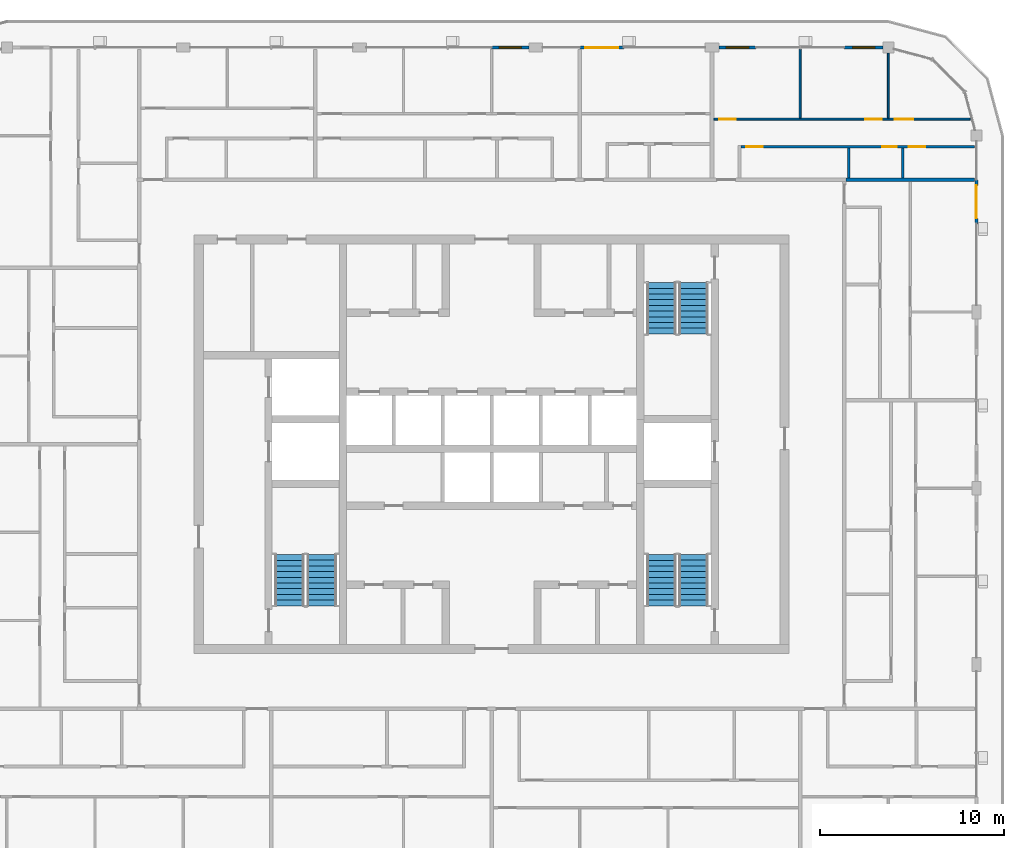
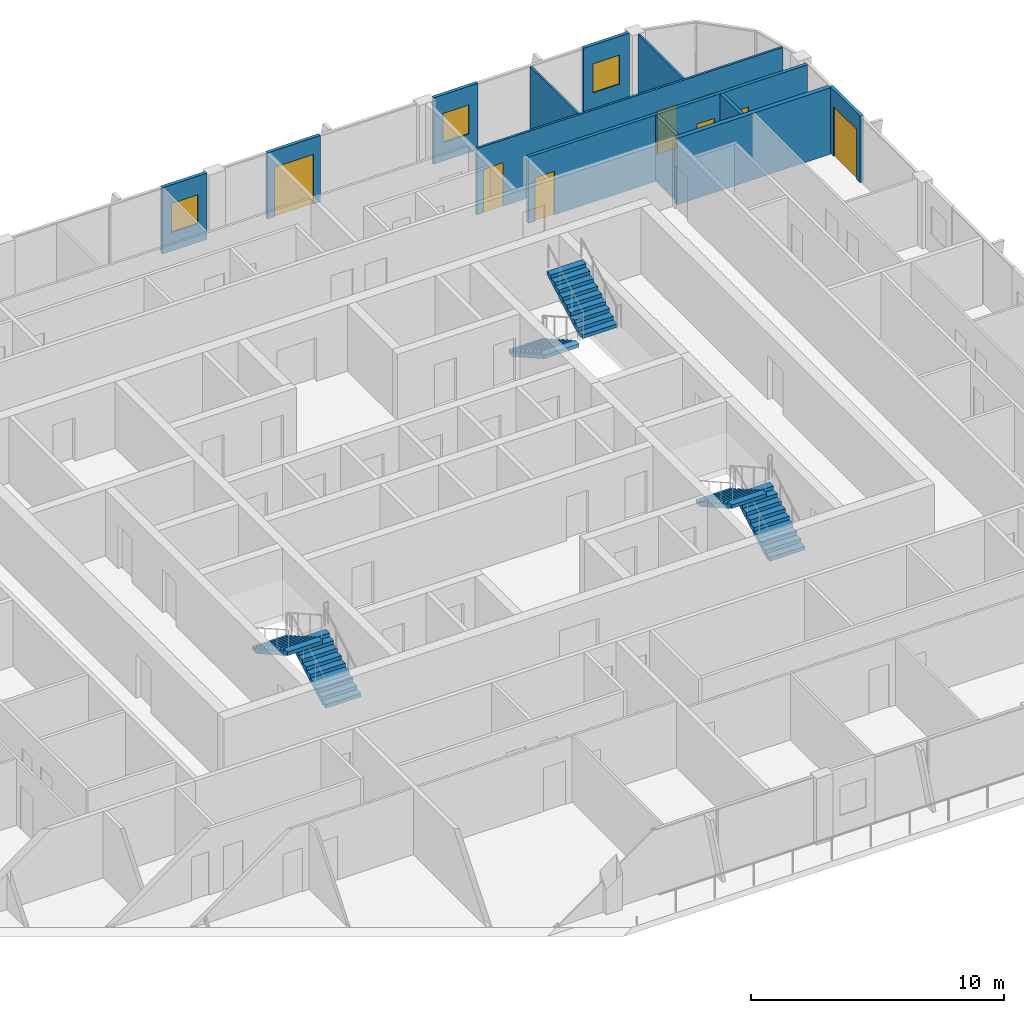
# One storey, part 15 of 21: 12 walls, 8 doors, 6 stair flights, 3 windows, 11 openings, 3 elements without a shape of their own.
"""IFC4 building model written with IfcOpenShell, lengths in metres."""

from ifc_helpers import new_model, si_unit, direction, frame, frame_2d, origin, place, context, subcontext, project, spatial, polyline, rectangle, outline, extrude, material, layer, layer_set, type_object, element, fill, aggregate, save


model = new_model("IFC4")

# Units and contexts
model_context = context("Model", 3, precision=1e-05, world=origin(), true_north=direction((0.0, 1.0)))
body_context = subcontext(model_context, "Body", "Model", "MODEL_VIEW")
ifc_project = project(units=[si_unit("LENGTHUNIT", "METRE"), si_unit("AREAUNIT", "SQUARE_METRE"), si_unit("VOLUMEUNIT", "CUBIC_METRE"), si_unit("PLANEANGLEUNIT", "RADIAN"), si_unit("MASSUNIT", "GRAM", prefix="KILO")], contexts=[model_context])

# Site, building, storey
site_placement = place(None, origin())
site = spatial("IfcSite", under=ifc_project, at=site_placement, CompositionType="ELEMENT")
building_placement = place(site_placement, origin())
building = spatial("IfcBuilding", under=site, at=building_placement, Name="Madar Terraces", CompositionType="ELEMENT")
storey_placement = place(building_placement, frame((0.0, 0.0, 272.10009765625)))
storey = spatial("IfcBuildingStorey", under=building, at=storey_placement, Name="L71", CompositionType="ELEMENT", Elevation=272.10009765625)

# Wall, opening, door
ifc_material_1 = material(Name="Aluminium composite panel, black, over insulated backing", Category="aluminium")
ifc_layer_1 = layer(ifc_material_1, 0.14990234375)
ifc_layer_set_1 = layer_set([ifc_layer_1], Name="Facade bay panel 150")
wall_type_1 = type_object("IfcWallType", Name="Facade bay panel 150", PredefinedType="SOLIDWALL", material=ifc_layer_set_1)
wall_1_placement = place(storey_placement, frame((57.60009765625, 38.39990234375, 0.0), z_axis=(0.0, 0.0, 1.0), x_axis=(0.0, 1.0, 0.0)))
wall_1 = element("IfcWall", 1, at=wall_1_placement, inside=storey, type_object=wall_type_1, Name="Facade bay panel", PredefinedType="SOLIDWALL", context=body_context, shape_type="SweptSolid", body=[
    extrude(rectangle(XDim=2.400146484375, YDim=0.14990234375, at=frame_2d((1.2001953125, 0.0))), origin(), (0.0, 0.0, 1.0), 3.199951171875),
])
opening_1_placement = place(wall_1_placement, frame((0.300048828125, 0.0, 0.0)))
opening_1 = element("IfcOpeningElement", 2, at=opening_1_placement, cuts=wall_1, Name="Opening ED1", PredefinedType="OPENING", context=body_context, shape_type="SweptSolid", body=[
    extrude(rectangle(XDim=1.800048828125, YDim=2.39990234375, at=frame_2d((0.89990234375, 1.199951171875))), frame((0.0, 0.0849609375, 0.0), z_axis=(0.0, -1.0, 0.0), x_axis=(1.0, 0.0, 0.0)), (0.0, 0.0, 1.0), 0.169921875),
])
ifc_material_2 = material(Name="Glass, clear, with black aluminium frame", Category="aluminium")
door_type_1 = type_object("IfcDoorType", Name="Balcony and terrace sliding door 1800 x 2400", OperationType="SLIDING_TO_LEFT", PredefinedType="DOOR", material=ifc_material_2)
door_1_placement = place(opening_1_placement, origin())
door_1 = element("IfcDoor", 3, at=door_1_placement, inside=storey, type_object=door_type_1, Name="Balcony door", OperationType="SLIDING_TO_LEFT", OverallHeight=2.39990234375, OverallWidth=1.800048828125, PredefinedType="DOOR", context=body_context, shape_type="SweptSolid", body=[
    extrude(rectangle(XDim=1.800048828125, YDim=2.39990234375, at=frame_2d((0.89990234375, 1.199951171875))), frame((0.0, 0.02490234375, 0.0), z_axis=(0.0, -1.0, 0.0), x_axis=(1.0, 0.0, 0.0)), (0.0, 0.0, 1.0), 0.050048828125),
])
fill(opening_1, door_1)

# Wall, opening, window
wall_2_placement = place(storey_placement, frame((52.5, 48.0, 0.0), z_axis=(0.0, 0.0, 1.0), x_axis=(-1.0, 0.0, 0.0)))
wall_2 = element("IfcWall", 4, at=wall_2_placement, inside=storey, type_object=wall_type_1, Name="Facade bay panel", PredefinedType="SOLIDWALL", context=body_context, shape_type="SweptSolid", body=[
    extrude(rectangle(XDim=2.10009765625, YDim=0.14990234375, at=frame_2d((1.050048828125, 0.0))), origin(), (0.0, 0.0, 1.0), 3.199951171875),
])
opening_2_placement = place(wall_2_placement, frame((0.449951171875, 0.0, 0.89990234375)))
opening_2 = element("IfcOpeningElement", 5, at=opening_2_placement, cuts=wall_2, Name="Opening W1", PredefinedType="OPENING", context=body_context, shape_type="SweptSolid", body=[
    extrude(rectangle(XDim=1.199951171875, YDim=1.39990234375, at=frame_2d((0.60009765625, 0.699951171875))), frame((0.0, 0.0849609375, 0.0), z_axis=(0.0, -1.0, 0.0), x_axis=(1.0, 0.0, 0.0)), (0.0, 0.0, 1.0), 0.169921875),
])
ifc_material_3 = material(Name="Glass, clear, with black aluminium frame", Category="aluminium")
window_type = type_object("IfcWindowType", Name="Vent window 1200 x 1400", PartitioningType="SINGLE_PANEL", PredefinedType="WINDOW", material=ifc_material_3)
window_1_placement = place(opening_2_placement, origin())
window_1 = element("IfcWindow", 6, at=window_1_placement, inside=storey, type_object=window_type, Name="Operable vent window", OverallHeight=1.39990234375, OverallWidth=1.199951171875, PartitioningType="SINGLE_PANEL", PredefinedType="WINDOW", context=body_context, shape_type="SweptSolid", body=[
    extrude(rectangle(XDim=1.199951171875, YDim=1.39990234375, at=frame_2d((0.60009765625, 0.699951171875))), frame((0.0, 0.030029296875, 0.0), z_axis=(0.0, -1.0, 0.0), x_axis=(1.0, 0.0, 0.0)), (0.0, 0.0, 1.0), 0.06005859375),
])
fill(opening_2, window_1)

wall_3_placement = place(storey_placement, frame((45.60009765625, 48.0, 0.0), z_axis=(0.0, 0.0, 1.0), x_axis=(-1.0, 0.0, 0.0)))
wall_3 = element("IfcWall", 7, at=wall_3_placement, inside=storey, type_object=wall_type_1, Name="Facade bay panel", PredefinedType="SOLIDWALL", context=body_context, shape_type="SweptSolid", body=[
    extrude(rectangle(XDim=2.025146484375, YDim=0.14990234375, at=frame_2d((1.0126953125, 0.0))), origin(), (0.0, 0.0, 1.0), 3.199951171875),
])
opening_3_placement = place(wall_3_placement, frame((0.41259765625, 0.0, 0.89990234375)))
opening_3 = element("IfcOpeningElement", 8, at=opening_3_placement, cuts=wall_3, Name="Opening W1", PredefinedType="OPENING", context=body_context, shape_type="SweptSolid", body=[
    extrude(rectangle(XDim=1.199951171875, YDim=1.39990234375, at=frame_2d((0.60009765625, 0.699951171875))), frame((0.0, 0.0849609375, 0.0), z_axis=(0.0, -1.0, 0.0), x_axis=(1.0, 0.0, 0.0)), (0.0, 0.0, 1.0), 0.169921875),
])
window_2_placement = place(opening_3_placement, origin())
window_2 = element("IfcWindow", 9, at=window_2_placement, inside=storey, type_object=window_type, Name="Operable vent window", OverallHeight=1.39990234375, OverallWidth=1.199951171875, PartitioningType="SINGLE_PANEL", PredefinedType="WINDOW", context=body_context, shape_type="SweptSolid", body=[
    extrude(rectangle(XDim=1.199951171875, YDim=1.39990234375, at=frame_2d((0.60009765625, 0.699951171875))), frame((0.0, 0.030029296875, 0.0), z_axis=(0.0, -1.0, 0.0), x_axis=(1.0, 0.0, 0.0)), (0.0, 0.0, 1.0), 0.06005859375),
])
fill(opening_3, window_2)

# Wall, opening, door
wall_4_placement = place(storey_placement, frame((38.39990234375, 48.0, 0.0), z_axis=(0.0, 0.0, 1.0), x_axis=(-1.0, 0.0, 0.0)))
wall_4 = element("IfcWall", 10, at=wall_4_placement, inside=storey, type_object=wall_type_1, Name="Facade bay panel", PredefinedType="SOLIDWALL", context=body_context, shape_type="SweptSolid", body=[
    extrude(rectangle(XDim=2.39990234375, YDim=0.14990234375, at=frame_2d((1.199951171875, 0.0))), origin(), (0.0, 0.0, 1.0), 3.199951171875),
])
opening_4_placement = place(wall_4_placement, frame((0.300048828125, 0.0, 0.0)))
opening_4 = element("IfcOpeningElement", 11, at=opening_4_placement, cuts=wall_4, Name="Opening ED1", PredefinedType="OPENING", context=body_context, shape_type="SweptSolid", body=[
    extrude(rectangle(XDim=1.800048828125, YDim=2.39990234375, at=frame_2d((0.89990234375, 1.199951171875))), frame((0.0, 0.0849609375, 0.0), z_axis=(0.0, -1.0, 0.0), x_axis=(1.0, 0.0, 0.0)), (0.0, 0.0, 1.0), 0.169921875),
])
door_2_placement = place(opening_4_placement, origin())
door_2 = element("IfcDoor", 12, at=door_2_placement, inside=storey, type_object=door_type_1, Name="Balcony door", OperationType="SLIDING_TO_RIGHT", OverallHeight=2.39990234375, OverallWidth=1.800048828125, PredefinedType="DOOR", context=body_context, shape_type="SweptSolid", body=[
    extrude(rectangle(XDim=1.800048828125, YDim=2.39990234375, at=frame_2d((0.89990234375, 1.199951171875))), frame((0.0, 0.02490234375, 0.0), z_axis=(0.0, -1.0, 0.0), x_axis=(1.0, 0.0, 0.0)), (0.0, 0.0, 1.0), 0.050048828125),
])
fill(opening_4, door_2)

# Wall, opening, window
wall_5_placement = place(storey_placement, frame((33.22509765625, 48.0, 0.0), z_axis=(0.0, 0.0, 1.0), x_axis=(-1.0, 0.0, 0.0)))
wall_5 = element("IfcWall", 13, at=wall_5_placement, inside=storey, type_object=wall_type_1, Name="Facade bay panel", PredefinedType="SOLIDWALL", context=body_context, shape_type="SweptSolid", body=[
    extrude(rectangle(XDim=2.025146484375, YDim=0.14990234375, at=frame_2d((1.0126953125, 0.0))), origin(), (0.0, 0.0, 1.0), 3.199951171875),
])
opening_5_placement = place(wall_5_placement, frame((0.41259765625, 0.0, 0.89990234375)))
opening_5 = element("IfcOpeningElement", 14, at=opening_5_placement, cuts=wall_5, Name="Opening W1", PredefinedType="OPENING", context=body_context, shape_type="SweptSolid", body=[
    extrude(rectangle(XDim=1.199951171875, YDim=1.39990234375, at=frame_2d((0.60009765625, 0.699951171875))), frame((0.0, 0.0849609375, 0.0), z_axis=(0.0, -1.0, 0.0), x_axis=(1.0, 0.0, 0.0)), (0.0, 0.0, 1.0), 0.169921875),
])
window_3_placement = place(opening_5_placement, origin())
window_3 = element("IfcWindow", 15, at=window_3_placement, inside=storey, type_object=window_type, Name="Operable vent window", OverallHeight=1.39990234375, OverallWidth=1.199951171875, PartitioningType="SINGLE_PANEL", PredefinedType="WINDOW", context=body_context, shape_type="SweptSolid", body=[
    extrude(rectangle(XDim=1.199951171875, YDim=1.39990234375, at=frame_2d((0.60009765625, 0.699951171875))), frame((0.0, 0.030029296875, 0.0), z_axis=(0.0, -1.0, 0.0), x_axis=(1.0, 0.0, 0.0)), (0.0, 0.0, 1.0), 0.06005859375),
])
fill(opening_5, window_3)

# Walls
ifc_material_4 = material(Name="Gypsum board on steel studs", Category="steel")
ifc_layer_2 = layer(ifc_material_4, 0.10009765625)
ifc_layer_set_2 = layer_set([ifc_layer_2], Name="Flat partition 100")
wall_type_2 = type_object("IfcWallType", Name="Flat partition 100", PredefinedType="PARTITIONING", material=ifc_layer_set_2)
wall_6_placement = place(storey_placement, frame((48.0, 44.14990234375, 0.0), z_axis=(0.0, 0.0, 1.0), x_axis=(0.0, 1.0, 0.0)))
element("IfcWall", 16, at=wall_6_placement, inside=storey, type_object=wall_type_2, Name="Flat partition 100", PredefinedType="PARTITIONING", context=body_context, shape_type="SweptSolid", body=[
    extrude(rectangle(XDim=3.75, YDim=0.10009765625, at=frame_2d((1.875, 0.0))), origin(), (0.0, 0.0, 1.0), 3.199951171875),
])
wall_7_placement = place(storey_placement, frame((52.800048828125, 44.14990234375, 0.0), z_axis=(0.0, 0.0, 1.0), x_axis=(0.0, 1.0, 0.0)))
element("IfcWall", 17, at=wall_7_placement, inside=storey, type_object=wall_type_2, Name="Flat partition 100", PredefinedType="PARTITIONING", context=body_context, shape_type="SweptSolid", body=[
    extrude(rectangle(XDim=3.550048828125, YDim=0.10009765625, at=frame_2d((1.77490234375, 0.0))), origin(), (0.0, 0.0, 1.0), 3.199951171875),
])

# Wall, openings, doors
wall_8_placement = place(storey_placement, frame((43.300048828125, 44.10009765625, 0.0), z_axis=(0.0, 0.0, 1.0), x_axis=(1.0, 0.0, 0.0)))
wall_8 = element("IfcWall", 18, at=wall_8_placement, inside=storey, type_object=wall_type_2, Name="Flat partition 100", PredefinedType="PARTITIONING", context=body_context, shape_type="SweptSolid", body=[
    extrude(rectangle(XDim=13.958740234375, YDim=0.10009765625, at=frame_2d((6.9794921875, 0.0))), origin(), (0.0, 0.0, 1.0), 3.199951171875),
])
opening_6_placement = place(wall_8_placement, frame((0.300048828125, 0.0, 0.0)))
opening_6 = element("IfcOpeningElement", 19, at=opening_6_placement, cuts=wall_8, Name="Opening D2", PredefinedType="OPENING", context=body_context, shape_type="SweptSolid", body=[
    extrude(rectangle(XDim=0.89990234375, YDim=2.10009765625, at=frame_2d((0.449951171875, 1.050048828125))), frame((0.0, 0.06005859375, 0.0), z_axis=(0.0, -1.0, 0.0), x_axis=(1.0, 0.0, 0.0)), (0.0, 0.0, 1.0), 0.1201171875),
])
opening_7_placement = place(wall_8_placement, frame((8.25, 0.0, 0.0)))
opening_7 = element("IfcOpeningElement", 20, at=opening_7_placement, cuts=wall_8, Name="Opening D2", PredefinedType="OPENING", context=body_context, shape_type="SweptSolid", body=[
    extrude(rectangle(XDim=0.89990234375, YDim=2.10009765625, at=frame_2d((0.449951171875, 1.050048828125))), frame((0.0, 0.06005859375, 0.0), z_axis=(0.0, -1.0, 0.0), x_axis=(1.0, 0.0, 0.0)), (0.0, 0.0, 1.0), 0.1201171875),
])
opening_8_placement = place(wall_8_placement, frame((9.85009765625, 0.0, 0.0)))
opening_8 = element("IfcOpeningElement", 21, at=opening_8_placement, cuts=wall_8, Name="Opening D3", PredefinedType="OPENING", context=body_context, shape_type="SweptSolid", body=[
    extrude(rectangle(XDim=1.0, YDim=2.10009765625, at=frame_2d((0.5, 1.050048828125))), frame((0.0, 0.06005859375, 0.0), z_axis=(0.0, -1.0, 0.0), x_axis=(1.0, 0.0, 0.0)), (0.0, 0.0, 1.0), 0.1201171875),
])
ifc_material_5 = material(Name="Timber door leaf", Category="wood")
door_type_2 = type_object("IfcDoorType", Name="Flat living room door 1000", OperationType="NOTDEFINED", PredefinedType="DOOR", material=ifc_material_5)
door_3_placement = place(opening_8_placement, origin())
door_3 = element("IfcDoor", 22, at=door_3_placement, inside=storey, type_object=door_type_2, Name="Flat living room door 1000", OperationType="SINGLE_SWING_LEFT", OverallHeight=2.10009765625, OverallWidth=1.0, PredefinedType="DOOR", context=body_context, shape_type="SweptSolid", body=[
    extrude(rectangle(XDim=1.0, YDim=2.10009765625, at=frame_2d((0.5, 1.050048828125))), frame((0.0, 0.02490234375, 0.0), z_axis=(0.0, -1.0, 0.0), x_axis=(1.0, 0.0, 0.0)), (0.0, 0.0, 1.0), 0.050048828125),
])
fill(opening_8, door_3)
ifc_material_6 = material(Name="Timber door leaf", Category="wood")
door_type_3 = type_object("IfcDoorType", Name="Flat room door 900", OperationType="NOTDEFINED", PredefinedType="DOOR", material=ifc_material_6)
door_4_placement = place(opening_6_placement, origin())
door_4 = element("IfcDoor", 23, at=door_4_placement, inside=storey, type_object=door_type_3, Name="Flat room door 900", OperationType="SINGLE_SWING_LEFT", OverallHeight=2.10009765625, OverallWidth=0.89990234375, PredefinedType="DOOR", context=body_context, shape_type="SweptSolid", body=[
    extrude(rectangle(XDim=0.89990234375, YDim=2.10009765625, at=frame_2d((0.449951171875, 1.050048828125))), frame((0.0, 0.02490234375, 0.0), z_axis=(0.0, -1.0, 0.0), x_axis=(1.0, 0.0, 0.0)), (0.0, 0.0, 1.0), 0.050048828125),
])
fill(opening_6, door_4)
door_5_placement = place(opening_7_placement, origin())
door_5 = element("IfcDoor", 24, at=door_5_placement, inside=storey, type_object=door_type_3, Name="Flat room door 900", OperationType="SINGLE_SWING_RIGHT", OverallHeight=2.10009765625, OverallWidth=0.89990234375, PredefinedType="DOOR", context=body_context, shape_type="SweptSolid", body=[
    extrude(rectangle(XDim=0.89990234375, YDim=2.10009765625, at=frame_2d((0.449951171875, 1.050048828125))), frame((0.0, 0.02490234375, 0.0), z_axis=(0.0, -1.0, 0.0), x_axis=(1.0, 0.0, 0.0)), (0.0, 0.0, 1.0), 0.050048828125),
])
fill(opening_7, door_5)

# Walls
ifc_material_7 = material(Name="Lightweight blockwork", Category="masonry")
ifc_layer_3 = layer(ifc_material_7, 0.199951171875)
ifc_layer_set_3 = layer_set([ifc_layer_3], Name="Flat party and entrance wall 200")
wall_type_3 = type_object("IfcWallType", Name="Flat party and entrance wall 200", PredefinedType="PARTITIONING", material=ifc_layer_set_3)
wall_9_placement = place(storey_placement, frame((50.5, 40.800048828125, 0.0), z_axis=(0.0, 0.0, 1.0), x_axis=(1.0, 0.0, 0.0)))
element("IfcWall", 25, at=wall_9_placement, inside=storey, type_object=wall_type_3, Name="Flat party and entrance wall 200", PredefinedType="PARTITIONING", context=body_context, shape_type="SweptSolid", body=[
    extrude(rectangle(XDim=7.0, YDim=0.199951171875, at=frame_2d((3.5, 0.0))), origin(), (0.0, 0.0, 1.0), 3.199951171875),
])
ifc_material_8 = material(Name="Lightweight blockwork", Category="masonry")
ifc_layer_4 = layer(ifc_material_8, 0.14990234375)
ifc_layer_set_4 = layer_set([ifc_layer_4], Name="Flat wet-room partition 150")
wall_type_4 = type_object("IfcWallType", Name="Flat wet-room partition 150", PredefinedType="PARTITIONING", material=ifc_layer_set_4)
for number, where, z_axis, x_axis, name in (
    (26, (50.648193359375, 40.89990234375, 0.0), (0.0, 0.0, 1.0), (0.0, 1.0, 0.0), "Flat wet-room partition 150"),
    (27, (53.584716796875, 40.89990234375, 0.0), (0.0, 0.0, 1.0), (0.0, 1.0, 0.0), "Flat wet-room partition 150"),
):
    element("IfcWall", number, at=place(storey_placement, frame(where, z_axis=z_axis, x_axis=x_axis)), inside=storey, type_object=wall_type_4, Name=name, PredefinedType="PARTITIONING", context=body_context, shape_type="SweptSolid", body=[
        extrude(rectangle(XDim=1.625, YDim=0.14990234375, at=frame_2d((0.8125, 0.0))), origin(), (0.0, 0.0, 1.0), 3.199951171875),
    ])

# Wall, openings, doors
wall_10_placement = place(storey_placement, frame((57.5, 42.60009765625, 0.0), z_axis=(0.0, 0.0, 1.0), x_axis=(-1.0, 0.0, 0.0)))
wall_10 = element("IfcWall", 28, at=wall_10_placement, inside=storey, type_object=wall_type_4, Name="Flat wet-room partition 150", PredefinedType="PARTITIONING", context=body_context, shape_type="SweptSolid", body=[
    extrude(rectangle(XDim=12.72509765625, YDim=0.14990234375, at=frame_2d((6.362548828125, 0.0))), origin(), (0.0, 0.0, 1.0), 3.199951171875),
])
opening_9_placement = place(wall_10_placement, frame((11.52490234375, 0.0, 0.0)))
opening_9 = element("IfcOpeningElement", 29, at=opening_9_placement, cuts=wall_10, Name="Opening D2", PredefinedType="OPENING", context=body_context, shape_type="SweptSolid", body=[
    extrude(rectangle(XDim=0.89990234375, YDim=2.10009765625, at=frame_2d((0.449951171875, 1.050048828125))), frame((0.0, 0.0849609375, 0.0), z_axis=(0.0, -1.0, 0.0), x_axis=(1.0, 0.0, 0.0)), (0.0, 0.0, 1.0), 0.169921875),
])
opening_10_placement = place(wall_10_placement, frame((4.240478515625, 0.0, 0.0)))
opening_10 = element("IfcOpeningElement", 30, at=opening_10_placement, cuts=wall_10, Name="Opening D4", PredefinedType="OPENING", context=body_context, shape_type="SweptSolid", body=[
    extrude(rectangle(XDim=0.800048828125, YDim=2.10009765625, at=frame_2d((0.39990234375, 1.050048828125))), frame((0.0, 0.0849609375, 0.0), z_axis=(0.0, -1.0, 0.0), x_axis=(1.0, 0.0, 0.0)), (0.0, 0.0, 1.0), 0.169921875),
])
opening_11_placement = place(wall_10_placement, frame((2.6904296875, 0.0, 0.0)))
opening_11 = element("IfcOpeningElement", 31, at=opening_11_placement, cuts=wall_10, Name="Opening D5", PredefinedType="OPENING", context=body_context, shape_type="SweptSolid", body=[
    extrude(rectangle(XDim=0.89990234375, YDim=2.10009765625, at=frame_2d((0.449951171875, 1.050048828125))), frame((0.0, 0.0849609375, 0.0), z_axis=(0.0, -1.0, 0.0), x_axis=(1.0, 0.0, 0.0)), (0.0, 0.0, 1.0), 0.169921875),
])
ifc_material_9 = material(Name="Timber door leaf", Category="wood")
door_type_4 = type_object("IfcDoorType", Name="Flat accessible bathroom door 900", OperationType="NOTDEFINED", PredefinedType="DOOR", material=ifc_material_9)
door_6_placement = place(opening_11_placement, origin())
door_6 = element("IfcDoor", 32, at=door_6_placement, inside=storey, type_object=door_type_4, Name="Flat accessible bathroom door 900", OperationType="SINGLE_SWING_RIGHT", OverallHeight=2.10009765625, OverallWidth=0.89990234375, PredefinedType="DOOR", context=body_context, shape_type="SweptSolid", body=[
    extrude(rectangle(XDim=0.89990234375, YDim=2.10009765625, at=frame_2d((0.449951171875, 1.050048828125))), frame((0.0, 0.02490234375, 0.0), z_axis=(0.0, -1.0, 0.0), x_axis=(1.0, 0.0, 0.0)), (0.0, 0.0, 1.0), 0.050048828125),
])
fill(opening_11, door_6)
ifc_material_10 = material(Name="Timber door leaf", Category="wood")
door_type_5 = type_object("IfcDoorType", Name="Flat bathroom door 800", OperationType="NOTDEFINED", PredefinedType="DOOR", material=ifc_material_10)
door_7_placement = place(opening_10_placement, origin())
door_7 = element("IfcDoor", 33, at=door_7_placement, inside=storey, type_object=door_type_5, Name="Flat bathroom door 800", OperationType="SINGLE_SWING_LEFT", OverallHeight=2.10009765625, OverallWidth=0.800048828125, PredefinedType="DOOR", context=body_context, shape_type="SweptSolid", body=[
    extrude(rectangle(XDim=0.800048828125, YDim=2.10009765625, at=frame_2d((0.39990234375, 1.050048828125))), frame((0.0, 0.02490234375, 0.0), z_axis=(0.0, -1.0, 0.0), x_axis=(1.0, 0.0, 0.0)), (0.0, 0.0, 1.0), 0.050048828125),
])
fill(opening_10, door_7)
door_8_placement = place(opening_9_placement, origin())
door_8 = element("IfcDoor", 34, at=door_8_placement, inside=storey, type_object=door_type_3, Name="Flat room door 900", OperationType="SINGLE_SWING_RIGHT", OverallHeight=2.10009765625, OverallWidth=0.89990234375, PredefinedType="DOOR", context=body_context, shape_type="SweptSolid", body=[
    extrude(rectangle(XDim=0.89990234375, YDim=2.10009765625, at=frame_2d((0.449951171875, 1.050048828125))), frame((0.0, 0.02490234375, 0.0), z_axis=(0.0, -1.0, 0.0), x_axis=(1.0, 0.0, 0.0)), (0.0, 0.0, 1.0), 0.050048828125),
])
fill(opening_9, door_8)

# Stair, stair flights
ifc_material_11 = material(Name="Concrete C50/60", Category="concrete")
stair_type_1 = type_object("IfcStairType", Name="Stair ST1 protected exit", PredefinedType="HALF_TURN_STAIR", material=ifc_material_11)
stair_1_placement = place(storey_placement, origin())
stair_1 = element("IfcStair", 35, at=stair_1_placement, inside=storey, type_object=stair_type_1, Name="L71 Protected Exit Stair ST1", PredefinedType="HALF_TURN_STAIR")
ifc_material_12 = material(Name="Concrete C50/60", Category="concrete")
stair_flight_type_1 = type_object("IfcStairFlightType", Name="Stair flight ST1-F4, 1600 wide, 10 risers", PredefinedType="STRAIGHT", material=ifc_material_12)
stair_flight_1_placement = place(storey_placement, frame((21.949951171875, 17.60009765625, 0.0), z_axis=(0.0, 0.0, 1.0), x_axis=(0.0, 1.0, 0.0)))
stair_flight_1 = element("IfcStairFlight", 36, at=stair_flight_1_placement, type_object=stair_flight_type_1, Name="ST1 flight 1", NumberOfRisers=10, NumberOfTreads=9, PredefinedType="STRAIGHT", RiserHeight=0.175, TreadLength=0.31, context=body_context, shape_type="SweptSolid", body=[
    extrude(outline(polyline([(0.0, 0.0), (0.0, 0.175048828125), (0.31005859375, 0.175048828125), (0.31005859375, 0.35009765625), (0.6201171875, 0.35009765625), (0.6201171875, 0.52490234375), (0.929931640625, 0.52490234375), (0.929931640625, 0.699951171875), (1.239990234375, 0.699951171875), (1.239990234375, 0.875), (1.550048828125, 0.875), (1.550048828125, 1.050048828125), (1.860107421875, 1.050048828125), (1.860107421875, 1.22509765625), (2.169921875, 1.22509765625), (2.169921875, 1.39990234375), (2.47998046875, 1.39990234375), (2.47998046875, 1.574951171875), (2.7900390625, 1.574951171875), (2.7900390625, 1.75), (2.7900390625, 1.40283203125), (0.304931640625, 0.0), (0.0, 0.0)])), frame((0.0, 0.800048828125, 0.0), z_axis=(0.0, -1.0, 0.0), x_axis=(1.0, 0.0, 0.0)), (0.0, 0.0, 1.0), 1.60009765625),
])
stair_flight_2_placement = place(storey_placement, frame((20.199951171875, 20.389892578125, 1.75), z_axis=(0.0, 0.0, 1.0), x_axis=(0.0, -1.0, 0.0)))
stair_flight_2 = element("IfcStairFlight", 37, at=stair_flight_2_placement, type_object=stair_flight_type_1, Name="ST1 flight 2", NumberOfRisers=10, NumberOfTreads=9, PredefinedType="STRAIGHT", RiserHeight=0.175, TreadLength=0.31, context=body_context, shape_type="SweptSolid", body=[
    extrude(outline(polyline([(0.0, 0.0), (0.0, 0.175048828125), (0.31005859375, 0.175048828125), (0.31005859375, 0.35009765625), (0.6201171875, 0.35009765625), (0.6201171875, 0.52490234375), (0.929931640625, 0.52490234375), (0.929931640625, 0.699951171875), (1.239990234375, 0.699951171875), (1.239990234375, 0.875), (1.550048828125, 0.875), (1.550048828125, 1.050048828125), (1.860107421875, 1.050048828125), (1.860107421875, 1.22509765625), (2.169921875, 1.22509765625), (2.169921875, 1.39990234375), (2.47998046875, 1.39990234375), (2.47998046875, 1.574951171875), (2.7900390625, 1.574951171875), (2.7900390625, 1.75), (2.7900390625, 1.40283203125), (0.304931640625, 0.0), (0.0, 0.0)])), frame((0.0, 0.800048828125, 0.0), z_axis=(0.0, -1.0, 0.0), x_axis=(1.0, 0.0, 0.0)), (0.0, 0.0, 1.0), 1.60009765625),
])
aggregate(stair_1, [stair_flight_1, stair_flight_2])

ifc_material_13 = material(Name="Concrete C50/60", Category="concrete")
stair_type_2 = type_object("IfcStairType", Name="Stair ST2 protected exit", PredefinedType="HALF_TURN_STAIR", material=ifc_material_13)
stair_2_placement = place(storey_placement, origin())
stair_2 = element("IfcStair", 38, at=stair_2_placement, inside=storey, type_object=stair_type_2, Name="L71 Protected Exit Stair ST2", PredefinedType="HALF_TURN_STAIR")
ifc_material_14 = material(Name="Concrete C50/60", Category="concrete")
stair_flight_type_2 = type_object("IfcStairFlightType", Name="Stair flight ST2-F4, 1600 wide, 10 risers", PredefinedType="STRAIGHT", material=ifc_material_14)
stair_flight_3_placement = place(storey_placement, frame((40.449951171875, 35.199951171875, 0.0), z_axis=(0.0, 0.0, 1.0), x_axis=(0.0, -1.0, 0.0)))
stair_flight_3 = element("IfcStairFlight", 39, at=stair_flight_3_placement, type_object=stair_flight_type_2, Name="ST2 flight 1", NumberOfRisers=10, NumberOfTreads=9, PredefinedType="STRAIGHT", RiserHeight=0.175, TreadLength=0.31, context=body_context, shape_type="SweptSolid", body=[
    extrude(outline(polyline([(0.0, 0.0), (0.0, 0.175048828125), (0.31005859375, 0.175048828125), (0.31005859375, 0.35009765625), (0.6201171875, 0.35009765625), (0.6201171875, 0.52490234375), (0.929931640625, 0.52490234375), (0.929931640625, 0.699951171875), (1.239990234375, 0.699951171875), (1.239990234375, 0.875), (1.550048828125, 0.875), (1.550048828125, 1.050048828125), (1.860107421875, 1.050048828125), (1.860107421875, 1.22509765625), (2.169921875, 1.22509765625), (2.169921875, 1.39990234375), (2.47998046875, 1.39990234375), (2.47998046875, 1.574951171875), (2.7900390625, 1.574951171875), (2.7900390625, 1.75), (2.7900390625, 1.40283203125), (0.304931640625, 0.0), (0.0, 0.0)])), frame((0.0, 0.800048828125, 0.0), z_axis=(0.0, -1.0, 0.0), x_axis=(1.0, 0.0, 0.0)), (0.0, 0.0, 1.0), 1.60009765625),
])
stair_flight_4_placement = place(storey_placement, frame((42.199951171875, 32.409912109375, 1.75), z_axis=(0.0, 0.0, 1.0), x_axis=(0.0, 1.0, 0.0)))
stair_flight_4 = element("IfcStairFlight", 40, at=stair_flight_4_placement, type_object=stair_flight_type_2, Name="ST2 flight 2", NumberOfRisers=10, NumberOfTreads=9, PredefinedType="STRAIGHT", RiserHeight=0.175, TreadLength=0.31, context=body_context, shape_type="SweptSolid", body=[
    extrude(outline(polyline([(0.0, 0.0), (0.0, 0.175048828125), (0.31005859375, 0.175048828125), (0.31005859375, 0.35009765625), (0.6201171875, 0.35009765625), (0.6201171875, 0.52490234375), (0.929931640625, 0.52490234375), (0.929931640625, 0.699951171875), (1.239990234375, 0.699951171875), (1.239990234375, 0.875), (1.550048828125, 0.875), (1.550048828125, 1.050048828125), (1.860107421875, 1.050048828125), (1.860107421875, 1.22509765625), (2.169921875, 1.22509765625), (2.169921875, 1.39990234375), (2.47998046875, 1.39990234375), (2.47998046875, 1.574951171875), (2.7900390625, 1.574951171875), (2.7900390625, 1.75), (2.7900390625, 1.40283203125), (0.304931640625, 0.0), (0.0, 0.0)])), frame((0.0, 0.800048828125, 0.0), z_axis=(0.0, -1.0, 0.0), x_axis=(1.0, 0.0, 0.0)), (0.0, 0.0, 1.0), 1.60009765625),
])
aggregate(stair_2, [stair_flight_3, stair_flight_4])

ifc_material_15 = material(Name="Concrete C50/60", Category="concrete")
stair_type_3 = type_object("IfcStairType", Name="Stair ST3 protected exit", PredefinedType="HALF_TURN_STAIR", material=ifc_material_15)
stair_3_placement = place(storey_placement, origin())
stair_3 = element("IfcStair", 41, at=stair_3_placement, inside=storey, type_object=stair_type_3, Name="L71 Protected Exit Stair ST3", PredefinedType="HALF_TURN_STAIR")
ifc_material_16 = material(Name="Concrete C50/60", Category="concrete")
stair_flight_type_3 = type_object("IfcStairFlightType", Name="Stair flight ST3-F4, 1600 wide, 10 risers", PredefinedType="STRAIGHT", material=ifc_material_16)
stair_flight_5_placement = place(storey_placement, frame((42.199951171875, 17.60009765625, 0.0), z_axis=(0.0, 0.0, 1.0), x_axis=(0.0, 1.0, 0.0)))
stair_flight_5 = element("IfcStairFlight", 42, at=stair_flight_5_placement, type_object=stair_flight_type_3, Name="ST3 flight 1", NumberOfRisers=10, NumberOfTreads=9, PredefinedType="STRAIGHT", RiserHeight=0.175, TreadLength=0.31, context=body_context, shape_type="SweptSolid", body=[
    extrude(outline(polyline([(0.0, 0.0), (0.0, 0.175048828125), (0.31005859375, 0.175048828125), (0.31005859375, 0.35009765625), (0.6201171875, 0.35009765625), (0.6201171875, 0.52490234375), (0.929931640625, 0.52490234375), (0.929931640625, 0.699951171875), (1.239990234375, 0.699951171875), (1.239990234375, 0.875), (1.550048828125, 0.875), (1.550048828125, 1.050048828125), (1.860107421875, 1.050048828125), (1.860107421875, 1.22509765625), (2.169921875, 1.22509765625), (2.169921875, 1.39990234375), (2.47998046875, 1.39990234375), (2.47998046875, 1.574951171875), (2.7900390625, 1.574951171875), (2.7900390625, 1.75), (2.7900390625, 1.40283203125), (0.304931640625, 0.0), (0.0, 0.0)])), frame((0.0, 0.800048828125, 0.0), z_axis=(0.0, -1.0, 0.0), x_axis=(1.0, 0.0, 0.0)), (0.0, 0.0, 1.0), 1.60009765625),
])
stair_flight_6_placement = place(storey_placement, frame((40.449951171875, 20.389892578125, 1.75), z_axis=(0.0, 0.0, 1.0), x_axis=(0.0, -1.0, 0.0)))
stair_flight_6 = element("IfcStairFlight", 43, at=stair_flight_6_placement, type_object=stair_flight_type_3, Name="ST3 flight 2", NumberOfRisers=10, NumberOfTreads=9, PredefinedType="STRAIGHT", RiserHeight=0.175, TreadLength=0.31, context=body_context, shape_type="SweptSolid", body=[
    extrude(outline(polyline([(0.0, 0.0), (0.0, 0.175048828125), (0.31005859375, 0.175048828125), (0.31005859375, 0.35009765625), (0.6201171875, 0.35009765625), (0.6201171875, 0.52490234375), (0.929931640625, 0.52490234375), (0.929931640625, 0.699951171875), (1.239990234375, 0.699951171875), (1.239990234375, 0.875), (1.550048828125, 0.875), (1.550048828125, 1.050048828125), (1.860107421875, 1.050048828125), (1.860107421875, 1.22509765625), (2.169921875, 1.22509765625), (2.169921875, 1.39990234375), (2.47998046875, 1.39990234375), (2.47998046875, 1.574951171875), (2.7900390625, 1.574951171875), (2.7900390625, 1.75), (2.7900390625, 1.40283203125), (0.304931640625, 0.0), (0.0, 0.0)])), frame((0.0, 0.800048828125, 0.0), z_axis=(0.0, -1.0, 0.0), x_axis=(1.0, 0.0, 0.0)), (0.0, 0.0, 1.0), 1.60009765625),
])
aggregate(stair_3, [stair_flight_5, stair_flight_6])

save(model, "model.ifc")
